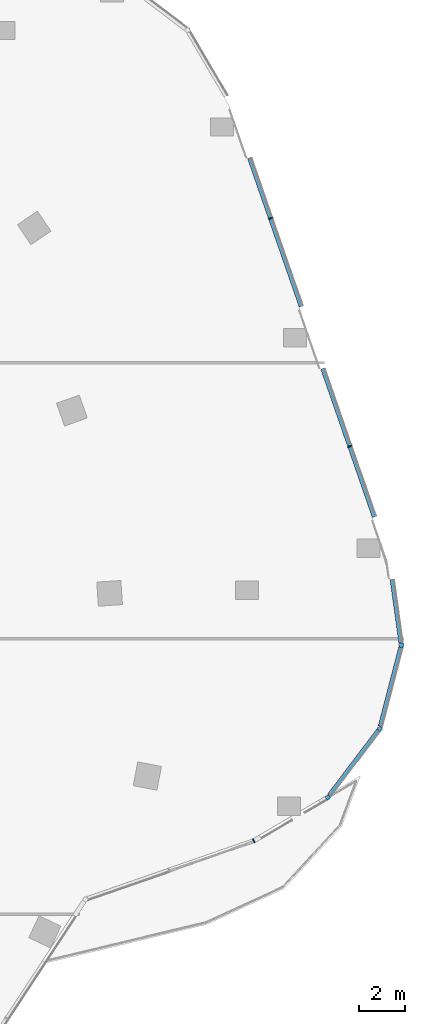
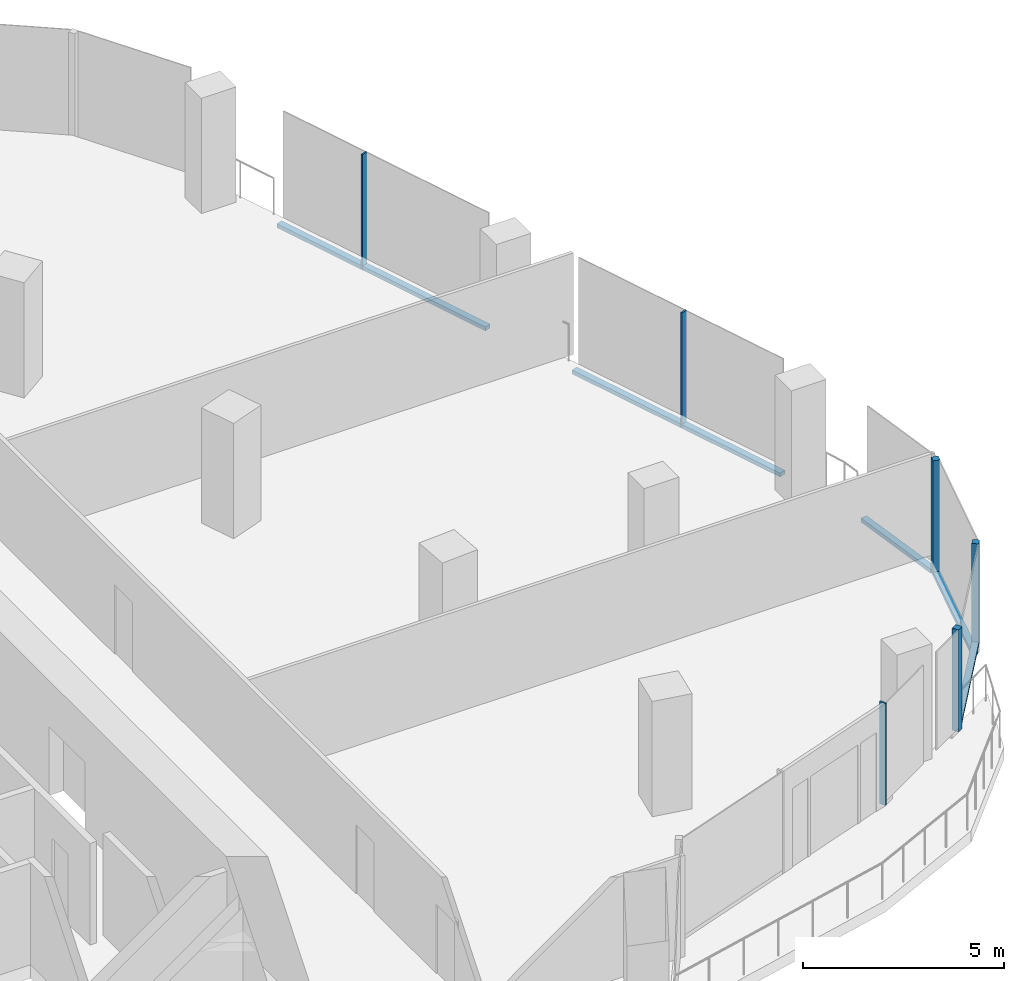
# One storey, part 8 of 26: 11 members, 6 elements without a shape of their own.
"""IFC4 building model written with IfcOpenShell, lengths in metres."""

import ifcopenshell
import ifcopenshell.guid

model = None  # the IFC model being written
_history = None  # IfcOwnerHistory: only IFC2X3 demands one
_inside = {}  # id of a spatial element -> (the spatial element, [elements in it])
_under = {}  # id of a project, library or spatial element -> (it, [spatial elements below it])
_declared = {}  # id of a project -> (the project, [libraries it declares])
_typed = {}  # id of a type object -> (the type object, [elements of that type])
_made_of = {}  # id of a material, layer set ... -> (it, [elements and type objects made of it])


def new_model(schema):
    """Start an empty IFC model of exactly this schema.

    Asked for "IFC4X3", IfcOpenShell would pick the latest addendum, in which some entities
    have other attributes; the version numbers below select the first issue.
    IFC2X3 requires an IfcOwnerHistory on every rooted entity: one is made here for all.
    """
    global model, _history
    if schema == "IFC4X3":
        model = ifcopenshell.file(schema_version=(4, 3, 0, 0))
    else:
        model = ifcopenshell.file(schema=schema)
    _inside.clear()
    _under.clear()
    _declared.clear()
    _typed.clear()
    _made_of.clear()
    _history = None
    if model.schema == "IFC2X3":
        org = make("IfcOrganization", Name="unknown")
        user = make(
            "IfcPersonAndOrganization",
            ThePerson=make("IfcPerson", FamilyName="unknown"),
            TheOrganization=org,
        )
        app = make(
            "IfcApplication",
            ApplicationDeveloper=org,
            Version="unknown",
            ApplicationFullName="unknown",
            ApplicationIdentifier="unknown",
        )
        _history = make(
            "IfcOwnerHistory",
            OwningUser=user,
            OwningApplication=app,
            ChangeAction="ADDED",
            CreationDate=0,
        )
    return model


def make(cls, **values):
    """One entity of the class cls with the attributes given. An attribute that is None is left unset."""
    return model.create_entity(
        cls, **{name: value for name, value in values.items() if value is not None}
    )


def rooted(cls, **values):
    """An entity with a GlobalId (a new one), such as an element, a storey or a relation."""
    return make(cls, GlobalId=ifcopenshell.guid.new(), OwnerHistory=_history, **values)


def si_unit(unit_type, name, prefix=None):
    """IfcSIUnit, for example si_unit("LENGTHUNIT", "METRE", prefix="MILLI")."""
    return make("IfcSIUnit", UnitType=unit_type, Prefix=prefix, Name=name)


def assignment(units):
    """IfcUnitAssignment: the units of a project."""
    return None if units is None else make("IfcUnitAssignment", Units=units)


def point(xyz):
    """IfcCartesianPoint."""
    return None if xyz is None else make("IfcCartesianPoint", Coordinates=xyz)


def direction(xyz):
    """IfcDirection."""
    return None if xyz is None else make("IfcDirection", DirectionRatios=xyz)


def frame(location, z_axis=None, x_axis=None):
    """IfcAxis2Placement3D, a coordinate frame: its origin and axes. An axis left out is left unset."""
    return make(
        "IfcAxis2Placement3D",
        Location=point(location),
        Axis=direction(z_axis),
        RefDirection=direction(x_axis),
    )


def frame_2d(location, x_axis=None):
    """IfcAxis2Placement2D, a coordinate frame in the plane: its origin and x axis."""
    return make(
        "IfcAxis2Placement2D", Location=point(location), RefDirection=direction(x_axis)
    )


def origin():
    """The frame at (0, 0, 0) with its axes left unset."""
    return frame((0.0, 0.0, 0.0))


def origin_2d():
    """The frame at (0, 0) in the plane with its x axis left unset."""
    return frame_2d((0.0, 0.0))


def place(relative_to, where):
    """IfcLocalPlacement: puts the frame where relative to a parent placement (None: the world)."""
    return make(
        "IfcLocalPlacement", PlacementRelTo=relative_to, RelativePlacement=where
    )


def context(
    kind, dimensions, precision=None, world=None, true_north=None, identifier=None
):
    """IfcGeometricRepresentationContext, for example the 3D "Model" context."""
    return make(
        "IfcGeometricRepresentationContext",
        ContextIdentifier=identifier,
        ContextType=kind,
        CoordinateSpaceDimension=dimensions,
        Precision=precision,
        WorldCoordinateSystem=world,
        TrueNorth=true_north,
    )


def subcontext(parent, identifier, kind, view, scale=None):
    """IfcGeometricRepresentationSubContext, for example "Body" below "Model"."""
    return make(
        "IfcGeometricRepresentationSubContext",
        ContextIdentifier=identifier,
        ContextType=kind,
        ParentContext=parent,
        TargetScale=scale,
        TargetView=view,
    )


def project(units=None, contexts=None):
    """IfcProject with its units and contexts."""
    return rooted(
        "IfcProject",
        Name="project",
        RepresentationContexts=contexts,
        UnitsInContext=assignment(units),
    )


def spatial(cls, under=None, at=None, **own):
    """A site, building, storey or space (cls), placed at a placement, below another one or the project."""
    s = rooted(cls, ObjectPlacement=at, **own)
    if under is not None:
        _under.setdefault(under.id(), (under, []))[1].append(s)
    return s


def profile(cls, at=None, kind="AREA", **sizes):
    """A parametric profile (cls). Its sizes go by their IFC names, for example OverallWidth=200.0."""
    return make(cls, ProfileType=kind, Position=at, **sizes)


def rectangle(**sizes):
    """IfcRectangleProfileDef."""
    return profile("IfcRectangleProfileDef", **sizes)


def extrude(swept, where, along, depth):
    """IfcExtrudedAreaSolid: the profile swept, set in the frame where, extruded along a direction by depth."""
    return make(
        "IfcExtrudedAreaSolid",
        SweptArea=swept,
        Position=where,
        ExtrudedDirection=direction(along),
        Depth=depth,
    )


def shape(context_of_items, identifier, shape_type, items):
    """IfcShapeRepresentation: the items that make up one representation, for example the "Body"."""
    return make(
        "IfcShapeRepresentation",
        ContextOfItems=context_of_items,
        RepresentationIdentifier=identifier,
        RepresentationType=shape_type,
        Items=items,
    )


def material(Name=None, Category=None):
    """IfcMaterial."""
    return make("IfcMaterial", Name=Name, Category=Category)


def material_profile(
    of_material, cross_section, Name=None, Category=None, Priority=None
):
    """IfcMaterialProfile: a cross section and its material."""
    return make(
        "IfcMaterialProfile",
        Name=Name,
        Material=of_material,
        Profile=cross_section,
        Priority=Priority,
        Category=Category,
    )


def profile_set(profiles, Name=None, composite=None):
    """IfcMaterialProfileSet."""
    return make(
        "IfcMaterialProfileSet",
        Name=Name,
        MaterialProfiles=profiles,
        CompositeProfile=composite,
    )


def made_of(thing, what):
    """Note that an element or type object is made of a material, layer set ...; save() writes the relation."""
    if what is not None:
        _made_of.setdefault(what.id(), (what, []))[1].append(thing)
    return thing


def type_object(cls, material=None, **own):
    """A type object (cls), such as IfcWallType, which elements share."""
    return made_of(rooted(cls, **own), material)


def element(
    cls,
    number,
    at=None,
    inside=None,
    cuts=None,
    type_object=None,
    material=None,
    context=None,
    identifier="Body",
    shape_type=None,
    held_by="IfcProductDefinitionShape",
    body=None,
    shapes=None,
    **own,
):
    """One element of the class cls, such as IfcWall. Its Tag is "e" and its number.

    at: its placement. inside: the storey or other place that contains it. cuts: it is an
    opening in that element (IfcRelVoidsElement). A single representation is given by context,
    identifier, shape_type and body (its items); several are given by shapes. held_by: the class
    of the entity that holds the representations. save() writes the other relations.
    """
    e = rooted(cls, Tag="e%d" % number, ObjectPlacement=at, **own)
    if body is not None:
        shapes = [shape(context, identifier, shape_type, body)]
    if shapes is not None:
        e.Representation = make(held_by, Representations=shapes)
    if inside is not None:
        _inside.setdefault(inside.id(), (inside, []))[1].append(e)
    if cuts is not None:
        rooted(
            "IfcRelVoidsElement", RelatingBuildingElement=cuts, RelatedOpeningElement=e
        )
    if type_object is not None:
        _typed.setdefault(type_object.id(), (type_object, []))[1].append(e)
    return made_of(e, material)


def aggregate(whole, parts):
    """IfcRelAggregates: a whole, such as a stair, and the parts it consists of."""
    return rooted("IfcRelAggregates", RelatingObject=whole, RelatedObjects=parts)


def save(model, path):
    """Write the relations noted so far, then the file.

    IfcRelAggregates (storeys below a building ...), IfcRelContainedInSpatialStructure (elements
    in a storey), IfcRelDefinesByType, IfcRelAssociatesMaterial and IfcRelDeclares: one each for
    every whole, place, type object, material and project.
    """
    for whole, parts in _under.values():
        aggregate(whole, parts)
    for where, things in _inside.values():
        rooted(
            "IfcRelContainedInSpatialStructure",
            RelatedElements=things,
            RelatingStructure=where,
        )
    for kind, things in _typed.values():
        rooted("IfcRelDefinesByType", RelatedObjects=things, RelatingType=kind)
    for what, things in _made_of.values():
        rooted("IfcRelAssociatesMaterial", RelatedObjects=things, RelatingMaterial=what)
    for by, libraries in _declared.values():
        rooted("IfcRelDeclares", RelatingContext=by, RelatedDefinitions=libraries)
    model.write(path)


model = new_model("IFC4")

# Units and contexts
model_context = context("Model", 3, precision=1e-05, world=origin(), true_north=direction((0.0, 1.0)))
body_context = subcontext(model_context, "Body", "Model", "MODEL_VIEW")
ifc_project = project(units=[si_unit("LENGTHUNIT", "METRE"), si_unit("AREAUNIT", "SQUARE_METRE"), si_unit("VOLUMEUNIT", "CUBIC_METRE"), si_unit("PLANEANGLEUNIT", "RADIAN"), si_unit("MASSUNIT", "GRAM", prefix="KILO")], contexts=[model_context])

# Site, building, storey
site_placement = place(None, origin())
site = spatial("IfcSite", under=ifc_project, at=site_placement, CompositionType="ELEMENT")
building_placement = place(site_placement, origin())
building = spatial("IfcBuilding", under=site, at=building_placement, Name="Orlundy Tower", CompositionType="ELEMENT")
storey_placement = place(building_placement, frame((0.0, 0.0, 232.0)))
storey = spatial("IfcBuildingStorey", under=building, at=storey_placement, Name="L61", CompositionType="ELEMENT", Elevation=232.0)

# Curtain wall, member
ifc_material_1 = material(Name="Aluminium bronze anodised", Category="aluminium")
curtain_wall_type = type_object("IfcCurtainWallType", Name="CW1 wall", PredefinedType="NOTDEFINED", material=ifc_material_1)
curtain_wall_1_placement = place(storey_placement, origin())
curtain_wall_1 = element("IfcCurtainWall", 1, at=curtain_wall_1_placement, inside=storey, type_object=curtain_wall_type, Name="CW1 run 025", PredefinedType="NOTDEFINED")
ifc_material_2 = material(Name="Aluminium bronze anodised", Category="aluminium")
ifc_material_profile_1 = material_profile(ifc_material_2, rectangle(XDim=0.179931640625, YDim=0.179931640625, at=origin_2d()), Name="CW1 corner post 180x180")
ifc_profile_set_1 = profile_set([ifc_material_profile_1], Name="Aluminium bronze anodised")
member_type_1 = type_object("IfcMemberType", Name="CW1 corner post 180x180", PredefinedType="MULLION", material=ifc_profile_set_1)
member_1_placement = place(storey_placement, frame((42.3046875, -0.29833984375, -0.39990234375), z_axis=(0.0, 0.0, 1.0), x_axis=(0.967797533004, -0.251729885218, 0.0)))
member_1 = element("IfcMember", 2, at=member_1_placement, type_object=member_type_1, Name="CW1 mullion 50", PredefinedType="MULLION", context=body_context, shape_type="SweptSolid", body=[
    extrude(rectangle(XDim=0.179931640625, YDim=0.179931640625, at=origin_2d()), origin(), (0.0, 0.0, 1.0), 3.5),
])

curtain_wall_2_placement = place(storey_placement, origin())
curtain_wall_2 = element("IfcCurtainWall", 3, at=curtain_wall_2_placement, inside=storey, type_object=curtain_wall_type, Name="CW1 run 026", PredefinedType="NOTDEFINED")
member_2_placement = place(storey_placement, frame((41.362548828125, -3.919921875, 0.0), z_axis=(0.0, 0.0, 1.0), x_axis=(0.797630845017, -0.603145948405, 0.0)))
member_2 = element("IfcMember", 4, at=member_2_placement, type_object=member_type_1, Name="CW1 mullion 51", PredefinedType="MULLION", context=body_context, shape_type="SweptSolid", body=[
    extrude(rectangle(XDim=0.179931640625, YDim=0.179931640625, at=origin_2d()), origin(), (0.0, 0.0, 1.0), 3.10009765625),
])

curtain_wall_3_placement = place(storey_placement, origin())
curtain_wall_3 = element("IfcCurtainWall", 5, at=curtain_wall_3_placement, inside=storey, type_object=curtain_wall_type, Name="CW1 run 027", PredefinedType="NOTDEFINED")
member_3_placement = place(storey_placement, frame((39.10498046875, -6.905517578125, 0.0), z_axis=(0.0, 0.0, 1.0), x_axis=(0.506418670322, -0.862287730604, 0.0)))
member_3 = element("IfcMember", 6, at=member_3_placement, type_object=member_type_1, Name="CW1 mullion 52", PredefinedType="MULLION", context=body_context, shape_type="SweptSolid", body=[
    extrude(rectangle(XDim=0.179931640625, YDim=0.179931640625, at=origin_2d()), origin(), (0.0, 0.0, 1.0), 3.10009765625),
])
aggregate(curtain_wall_3, [member_3])

curtain_wall_4_placement = place(storey_placement, origin())
curtain_wall_4 = element("IfcCurtainWall", 7, at=curtain_wall_4_placement, inside=storey, type_object=curtain_wall_type, Name="CW1 run 00", PredefinedType="NOTDEFINED")
ifc_material_3 = material(Name="Aluminium bronze anodised", Category="aluminium")
ifc_material_profile_2 = material_profile(ifc_material_3, rectangle(XDim=0.179931640625, YDim=0.050048828125, at=origin_2d()), Name="CW1 mullion 50x180")
ifc_profile_set_2 = profile_set([ifc_material_profile_2], Name="Aluminium bronze anodised")
member_type_2 = type_object("IfcMemberType", Name="CW1 mullion 50x180", PredefinedType="MULLION", material=ifc_profile_set_2)
member_4_placement = place(storey_placement, frame((35.885986328125, -8.796142578125, 0.0), z_axis=(0.0, 0.0, 1.0), x_axis=(0.419347091388, -0.907825983845, 0.0)))
member_4 = element("IfcMember", 8, at=member_4_placement, type_object=member_type_2, Name="CW1 mullion 1", PredefinedType="MULLION", context=body_context, shape_type="SweptSolid", body=[
    extrude(rectangle(XDim=0.179931640625, YDim=0.050048828125, at=origin_2d()), origin(), (0.0, 0.0, 1.0), 3.10009765625),
])
aggregate(curtain_wall_4, [member_4])

# Curtain wall, members
curtain_wall_5_placement = place(storey_placement, origin())
curtain_wall_5 = element("IfcCurtainWall", 9, at=curtain_wall_5_placement, inside=storey, type_object=curtain_wall_type, Name="CW1 run 023", PredefinedType="NOTDEFINED")
member_5_placement = place(storey_placement, frame((36.616455078125, 18.28564453125, -0.39990234375), z_axis=(0.0, 0.0, 1.0), x_axis=(0.944577712924, 0.328287898416, 0.0)))
member_5 = element("IfcMember", 10, at=member_5_placement, type_object=member_type_2, Name="CW1 mullion 46", PredefinedType="MULLION", context=body_context, shape_type="SweptSolid", body=[
    extrude(rectangle(XDim=0.179931640625, YDim=0.050048828125, at=origin_2d()), origin(), (0.0, 0.0, 1.0), 3.5),
])
member_6_placement = place(storey_placement, frame((40.0634765625, 8.367431640625, -0.39990234375), z_axis=(0.0, 0.0, 1.0), x_axis=(0.944577712924, 0.328287898416, 0.0)))
member_6 = element("IfcMember", 11, at=member_6_placement, type_object=member_type_2, Name="CW1 mullion 48", PredefinedType="MULLION", context=body_context, shape_type="SweptSolid", body=[
    extrude(rectangle(XDim=0.179931640625, YDim=0.050048828125, at=origin_2d()), origin(), (0.0, 0.0, 1.0), 3.5),
])
ifc_material_4 = material(Name="Aluminium bronze anodised", Category="aluminium")
ifc_material_profile_3 = material_profile(ifc_material_4, rectangle(XDim=0.179931640625, YDim=0.1201171875, at=origin_2d()), Name="CW1 transom 180x120")
ifc_profile_set_3 = profile_set([ifc_material_profile_3], Name="Aluminium bronze anodised")
member_type_3 = type_object("IfcMemberType", Name="CW1 transom 180x120", PredefinedType="USERDEFINED", material=ifc_profile_set_3)
member_7_placement = place(storey_placement, frame((35.7001953125, 20.922119140625, -0.340087890625), z_axis=(0.32830245411, -0.944572653969, 0.0), x_axis=(0.944572653969, 0.32830245411, 0.0)))
member_7 = element("IfcMember", 12, at=member_7_placement, type_object=member_type_3, Name="CW1 transom", ObjectType="TRANSOM", PredefinedType="USERDEFINED", context=body_context, shape_type="SweptSolid", body=[
    extrude(rectangle(XDim=0.179931640625, YDim=0.1201171875, at=origin_2d()), origin(), (0.0, 0.0, 1.0), 6.85791015625),
])
member_8_placement = place(storey_placement, frame((38.885986328125, 11.755859375, -0.340087890625), z_axis=(0.328286742907, -0.944578114521, 0.0), x_axis=(0.944578114521, 0.328286742907, 0.0)))
member_8 = element("IfcMember", 13, at=member_8_placement, type_object=member_type_3, Name="CW1 transom", ObjectType="TRANSOM", PredefinedType="USERDEFINED", context=body_context, shape_type="SweptSolid", body=[
    extrude(rectangle(XDim=0.179931640625, YDim=0.1201171875, at=origin_2d()), origin(), (0.0, 0.0, 1.0), 6.842529296875),
])
aggregate(curtain_wall_5, [member_5, member_6, member_7, member_8])

# Curtain wall, member
curtain_wall_6_placement = place(storey_placement, origin())
curtain_wall_6 = element("IfcCurtainWall", 14, at=curtain_wall_6_placement, inside=storey, type_object=curtain_wall_type, Name="CW1 run 024", PredefinedType="NOTDEFINED")
member_9_placement = place(storey_placement, frame((41.903564453125, 2.58349609375, -0.340087890625), z_axis=(0.137859363714, -0.99045181399, 0.0), x_axis=(0.99045181399, 0.137859363714, 0.0)))
member_9 = element("IfcMember", 15, at=member_9_placement, type_object=member_type_3, Name="CW1 transom", ObjectType="TRANSOM", PredefinedType="USERDEFINED", context=body_context, shape_type="SweptSolid", body=[
    extrude(rectangle(XDim=0.179931640625, YDim=0.1201171875, at=origin_2d()), origin(), (0.0, 0.0, 1.0), 2.812255859375),
])
aggregate(curtain_wall_6, [member_9])

# Member
member_10_placement = place(storey_placement, frame((42.281982421875, -0.385498046875, -0.340087890625), z_axis=(-0.251720057279, -0.967800089256, 0.0), x_axis=(0.967800089256, -0.251720057279, 0.0)))
member_10 = element("IfcMember", 16, at=member_10_placement, type_object=member_type_3, Name="CW1 transom", ObjectType="TRANSOM", PredefinedType="USERDEFINED", context=body_context, shape_type="SweptSolid", body=[
    extrude(rectangle(XDim=0.179931640625, YDim=0.1201171875, at=origin_2d()), origin(), (0.0, 0.0, 1.0), 3.5546875),
])

aggregate(curtain_wall_1, [member_1, member_10])

member_11_placement = place(storey_placement, frame((41.308349609375, -3.99169921875, 0.06005859375), z_axis=(-0.603126388783, -0.797645635074, 0.0), x_axis=(0.797645635074, -0.603126388783, 0.0)))
member_11 = element("IfcMember", 17, at=member_11_placement, type_object=member_type_3, Name="CW1 transom", ObjectType="TRANSOM", PredefinedType="USERDEFINED", context=body_context, shape_type="SweptSolid", body=[
    extrude(rectangle(XDim=0.179931640625, YDim=0.1201171875, at=origin_2d()), origin(), (0.0, 0.0, 1.0), 3.5556640625),
])

aggregate(curtain_wall_2, [member_2, member_11])

save(model, "model.ifc")
